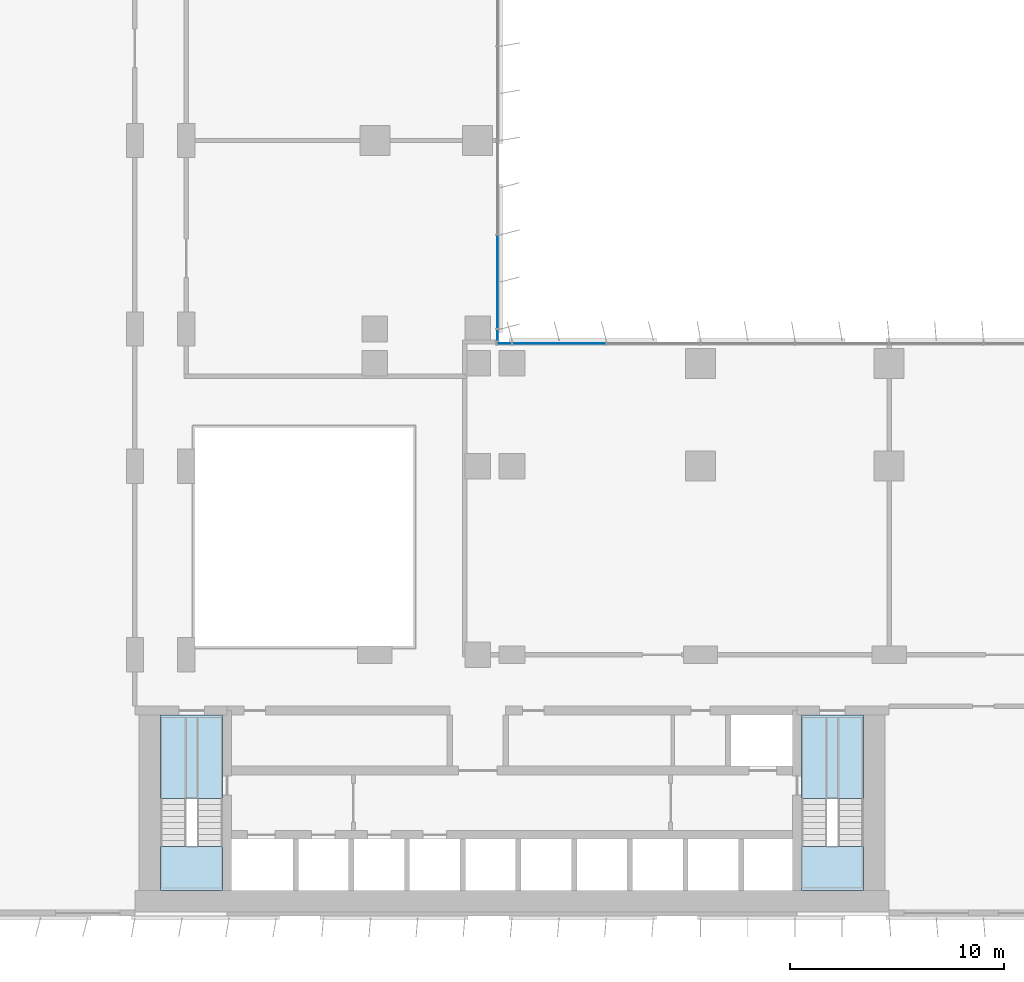
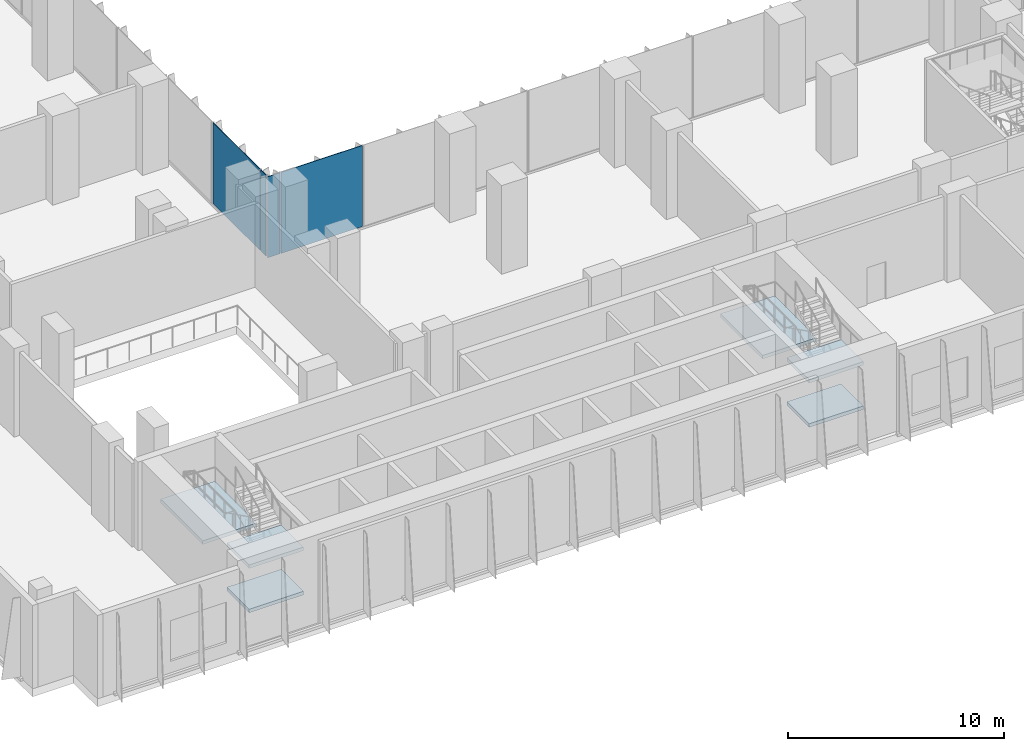
# One storey, part 10 of 23: 6 slabs, 4 plates, 4 elements without a shape of their own.
"""IFC4 building model written with IfcOpenShell, lengths in metres."""

from ifc_helpers import new_model, si_unit, direction, frame, origin, origin_2d, place, context, subcontext, project, spatial, polyline, rectangle, outline, extrude, source, transform, mapped, material, layer, layer_set, type_object, element, aggregate, save


model = new_model("IFC4")

# Units and contexts
model_context = context("Model", 3, precision=1e-05, world=origin(), true_north=direction((0.0, 1.0)))
body_context = subcontext(model_context, "Body", "Model", "MODEL_VIEW")
ifc_project = project(units=[si_unit("LENGTHUNIT", "METRE"), si_unit("AREAUNIT", "SQUARE_METRE"), si_unit("VOLUMEUNIT", "CUBIC_METRE"), si_unit("PLANEANGLEUNIT", "RADIAN"), si_unit("MASSUNIT", "GRAM", prefix="KILO")], contexts=[model_context])

# Site, building, storey
site_placement = place(None, origin())
site = spatial("IfcSite", under=ifc_project, at=site_placement, CompositionType="ELEMENT")
building_placement = place(site_placement, origin())
building = spatial("IfcBuilding", under=site, at=building_placement, Name="Kemantara Hotel Tower", CompositionType="ELEMENT")
storey_placement = place(building_placement, frame((0.0, 0.0, 71.0)))
storey = spatial("IfcBuildingStorey", under=building, at=storey_placement, Name="L16", CompositionType="ELEMENT", Elevation=71.0)

# Stair, slabs
ifc_material_1 = material(Name="Concrete fc 40 MPa", Category="concrete")
stair_type = type_object("IfcStairType", Name="Stair 1200 wide 36 risers of 139 x 280 mm", PredefinedType="HALF_TURN_STAIR", material=ifc_material_1)
stair_1_placement = place(storey_placement, origin())
stair_1 = element("IfcStair", 1, at=stair_1_placement, inside=storey, type_object=stair_type, Name="L16 Exit stair ST1", PredefinedType="HALF_TURN_STAIR")
ifc_layer_1 = layer(ifc_material_1, 0.199951171875)
ifc_layer_set_1 = layer_set([ifc_layer_1], Name="Concrete fc 40 MPa")
slab_type = type_object("IfcSlabType", Name="Stair landing 200 mm", PredefinedType="LANDING", material=ifc_layer_set_1)
slab_1_placement = place(storey_placement, frame((0.0, 0.0, 1.050048828125)))
slab_1 = element("IfcSlab", 2, at=slab_1_placement, type_object=slab_type, Name="ST1 landing 1", PredefinedType="LANDING", context=body_context, shape_type="SweptSolid", body=[
    extrude(outline(polyline([(11.0, 3.260009765625), (11.0, 1.199951171875), (13.89990234375, 1.199951171875), (13.89990234375, 3.260009765625), (11.0, 3.260009765625)])), origin(), (0.0, 0.0, 1.0), 0.199951171875),
])
slab_2_placement = place(storey_placement, frame((0.0, 0.0, 2.300048828125)))
slab_2 = element("IfcSlab", 3, at=slab_2_placement, type_object=slab_type, Name="ST1 landing 2", PredefinedType="LANDING", context=body_context, shape_type="SweptSolid", body=[
    extrude(outline(polyline([(11.0, 9.39990234375), (11.0, 5.5), (13.89990234375, 5.5), (13.89990234375, 9.39990234375), (11.0, 9.39990234375)])), origin(), (0.0, 0.0, 1.0), 0.199951171875),
])
slab_3_placement = place(storey_placement, frame((0.0, 0.0, 3.550048828125)))
slab_3 = element("IfcSlab", 4, at=slab_3_placement, type_object=slab_type, Name="ST1 landing 3", PredefinedType="LANDING", context=body_context, shape_type="SweptSolid", body=[
    extrude(outline(polyline([(11.0, 3.260009765625), (11.0, 1.199951171875), (13.89990234375, 1.199951171875), (13.89990234375, 3.260009765625), (11.0, 3.260009765625)])), origin(), (0.0, 0.0, 1.0), 0.199951171875),
])
aggregate(stair_1, [slab_1, slab_2, slab_3])

stair_2_placement = place(storey_placement, origin())
stair_2 = element("IfcStair", 5, at=stair_2_placement, inside=storey, type_object=stair_type, Name="L16 Exit stair ST2", PredefinedType="HALF_TURN_STAIR")
slab_4_placement = place(storey_placement, frame((0.0, 0.0, 1.050048828125)))
slab_4 = element("IfcSlab", 6, at=slab_4_placement, type_object=slab_type, Name="ST2 landing 1", PredefinedType="LANDING", context=body_context, shape_type="SweptSolid", body=[
    extrude(outline(polyline([(40.89990234375, 3.260009765625), (40.89990234375, 1.199951171875), (43.800048828125, 1.199951171875), (43.800048828125, 3.260009765625), (40.89990234375, 3.260009765625)])), origin(), (0.0, 0.0, 1.0), 0.199951171875),
])
slab_5_placement = place(storey_placement, frame((0.0, 0.0, 2.300048828125)))
slab_5 = element("IfcSlab", 7, at=slab_5_placement, type_object=slab_type, Name="ST2 landing 2", PredefinedType="LANDING", context=body_context, shape_type="SweptSolid", body=[
    extrude(outline(polyline([(40.89990234375, 9.39990234375), (40.89990234375, 5.5), (43.800048828125, 5.5), (43.800048828125, 9.39990234375), (40.89990234375, 9.39990234375)])), origin(), (0.0, 0.0, 1.0), 0.199951171875),
])
slab_6_placement = place(storey_placement, frame((0.0, 0.0, 3.550048828125)))
slab_6 = element("IfcSlab", 8, at=slab_6_placement, type_object=slab_type, Name="ST2 landing 3", PredefinedType="LANDING", context=body_context, shape_type="SweptSolid", body=[
    extrude(outline(polyline([(40.89990234375, 3.260009765625), (40.89990234375, 1.199951171875), (43.800048828125, 1.199951171875), (43.800048828125, 3.260009765625), (40.89990234375, 3.260009765625)])), origin(), (0.0, 0.0, 1.0), 0.199951171875),
])
aggregate(stair_2, [slab_4, slab_5, slab_6])

# Curtain wall, plate
ifc_material_2 = material(Name="Low-E tinted double insulated glass 36 mm", Category="glass")
curtain_wall_type = type_object("IfcCurtainWallType", Name="TOWER CURTAIN WALL, FRONT FACES", PredefinedType="USERDEFINED", material=ifc_material_2)
curtain_wall_1_placement = place(storey_placement, origin())
curtain_wall_1 = element("IfcCurtainWall", 9, at=curtain_wall_1_placement, inside=storey, type_object=curtain_wall_type, Name="CW4 L16 T1-R07-1", ObjectType="TOWER CURTAIN WALL, FRONT FACES", PredefinedType="USERDEFINED")
ifc_layer_2 = layer(ifc_material_2, 0.035888671875)
ifc_layer_set_2 = layer_set([ifc_layer_2], Name="Low-E tinted double insulated glass 36 mm")
plate_type = type_object("IfcPlateType", Name="TOWER CURTAIN WALL, FRONT FACES PANEL", PredefinedType="CURTAIN_PANEL", material=ifc_layer_set_2)
shared_shape_1 = source(origin(), body_context, "Body", "SweptSolid", [
    extrude(rectangle(XDim=4.340087890625, YDim=0.035888671875, at=origin_2d()), origin(), (0.0, 0.0, 1.0), 4.580078125),
])
plate_1_placement = place(storey_placement, frame((29.60009765625, 26.72509765625, 0.119873046875), z_axis=(0.0, 0.0, 1.0), x_axis=(-1.0, 0.0, 0.0)))
plate_1 = element("IfcPlate", 10, at=plate_1_placement, type_object=plate_type, Name="CW4 glass panel T1-R07-1.12", PredefinedType="CURTAIN_PANEL", context=body_context, shape_type="MappedRepresentation", body=[
    mapped(shared_shape_1, transform((0.0, 0.0, 0.0))),
])

curtain_wall_2_placement = place(storey_placement, origin())
curtain_wall_2 = element("IfcCurtainWall", 11, at=curtain_wall_2_placement, inside=storey, type_object=curtain_wall_type, Name="CW4 L16 T1-R08-1", ObjectType="TOWER CURTAIN WALL, FRONT FACES", PredefinedType="USERDEFINED")
plate_2_placement = place(storey_placement, frame((26.72509765625, 29.60009765625, 0.119873046875), z_axis=(0.0, 0.0, 1.0), x_axis=(0.0, 1.0, 0.0)))
plate_2 = element("IfcPlate", 12, at=plate_2_placement, type_object=plate_type, Name="CW4 glass panel T1-R08-1.2", PredefinedType="CURTAIN_PANEL", context=body_context, shape_type="MappedRepresentation", body=[
    mapped(shared_shape_1, transform((0.0, 0.0, 0.0))),
])

# Plate
shared_shape_2 = source(origin(), body_context, "Body", "SweptSolid", [
    extrude(rectangle(XDim=0.659912109375, YDim=0.035888671875, at=origin_2d()), origin(), (0.0, 0.0, 1.0), 4.580078125),
])
plate_3_placement = place(storey_placement, frame((27.0400390625, 26.72509765625, 0.119873046875), z_axis=(0.0, 0.0, 1.0), x_axis=(-1.0, 0.0, 0.0)))
plate_3 = element("IfcPlate", 13, at=plate_3_placement, type_object=plate_type, Name="CW4 glass panel T1-R07-1.13", PredefinedType="CURTAIN_PANEL", context=body_context, shape_type="MappedRepresentation", body=[
    mapped(shared_shape_2, transform((0.0, 0.0, 0.0))),
])

aggregate(curtain_wall_1, [plate_1, plate_3])

shared_shape_3 = source(origin(), body_context, "Body", "SweptSolid", [
    extrude(rectangle(XDim=0.510009765625, YDim=0.035888671875, at=origin_2d()), origin(), (0.0, 0.0, 1.0), 4.580078125),
])
plate_4_placement = place(storey_placement, frame((26.72509765625, 27.114990234375, 0.119873046875), z_axis=(0.0, 0.0, 1.0), x_axis=(0.0, 1.0, 0.0)))
plate_4 = element("IfcPlate", 14, at=plate_4_placement, type_object=plate_type, Name="CW4 glass panel T1-R08-1.1", PredefinedType="CURTAIN_PANEL", context=body_context, shape_type="MappedRepresentation", body=[
    mapped(shared_shape_3, transform((0.0, 0.0, 0.0))),
])

aggregate(curtain_wall_2, [plate_4, plate_2])

save(model, "model.ifc")
